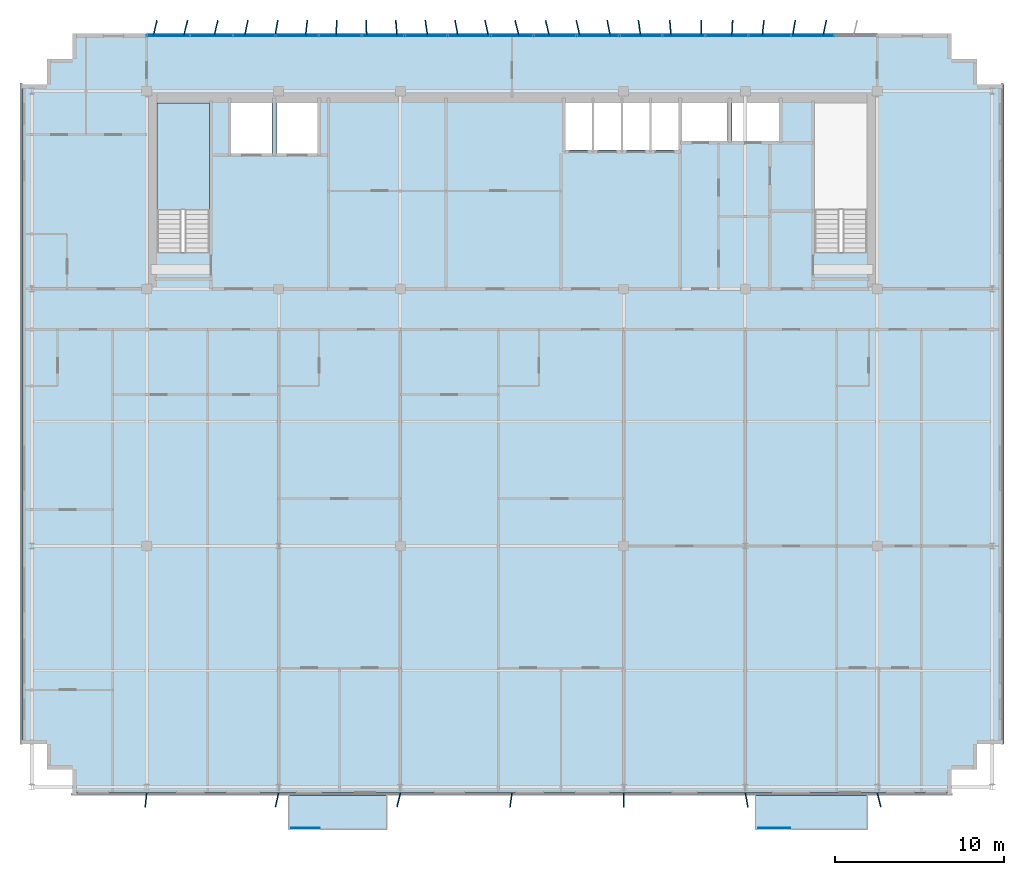
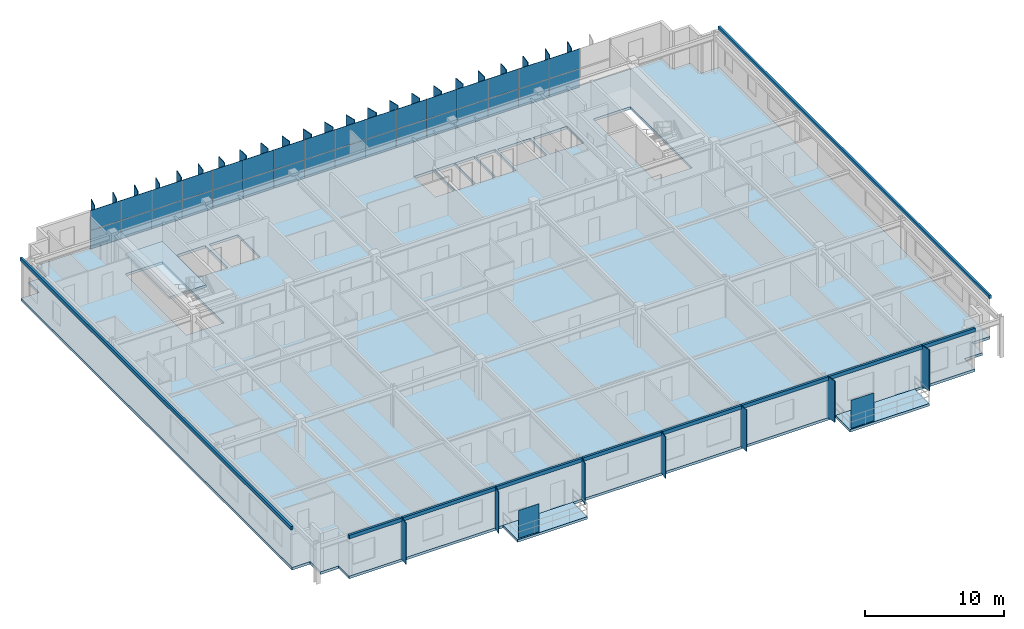
# One storey, part 15 of 23: 67 plates, 4 slabs, 2 elements without a shape of their own.
"""IFC4 building model written with IfcOpenShell, lengths in metres."""

from ifc_helpers import new_model, si_unit, direction, frame, origin, origin_2d, place, context, subcontext, project, spatial, polyline, rectangle, outline, extrude, source, transform, mapped, material, layer, layer_set, type_object, element, aggregate, save


model = new_model("IFC4")

# Units and contexts
model_context = context("Model", 3, precision=1e-05, world=origin(), true_north=direction((0.0, 1.0)))
body_context = subcontext(model_context, "Body", "Model", "MODEL_VIEW")
ifc_project = project(units=[si_unit("LENGTHUNIT", "METRE"), si_unit("AREAUNIT", "SQUARE_METRE"), si_unit("VOLUMEUNIT", "CUBIC_METRE"), si_unit("PLANEANGLEUNIT", "RADIAN"), si_unit("MASSUNIT", "GRAM", prefix="KILO")], contexts=[model_context])

# Site, building, storey
site_placement = place(None, origin())
site = spatial("IfcSite", under=ifc_project, at=site_placement, CompositionType="ELEMENT")
building_placement = place(site_placement, origin())
building = spatial("IfcBuilding", under=site, at=building_placement, Name="Trelvane Seafront Commons", CompositionType="ELEMENT")
storey_placement = place(building_placement, frame((0.0, 0.0, 263.10009765625)))
storey = spatial("IfcBuildingStorey", under=building, at=storey_placement, Name="L68", CompositionType="ELEMENT", Elevation=263.10009765625)

# Slabs
ifc_material_1 = material(Name="Concrete C40/50", Category="concrete")
ifc_layer_1 = layer(ifc_material_1, 0.219970703125, Name="ARCH-BALC-220")
ifc_layer_set_1 = layer_set([ifc_layer_1], Name="Concrete C40/50")
slab_type_1 = type_object("IfcSlabType", Name="ARCH-BALC-220", PredefinedType="FLOOR", material=ifc_layer_set_1)
slab_1_placement = place(storey_placement, frame((0.0, 0.0, -0.22021484375)))
element("IfcSlab", 1, at=slab_1_placement, inside=storey, type_object=slab_type_1, Name="L68 Cantilevered Tree Balcony Loggia 2", PredefinedType="FLOOR", context=body_context, shape_type="SweptSolid", body=[
    extrude(outline(polyline([(24.0, 1.39990234375), (29.800048828125, 1.39990234375), (29.800048828125, 3.5), (24.0, 3.5), (24.0, 1.39990234375)])), origin(), (0.0, 0.0, 1.0), 0.22021484375),
])
slab_2_placement = place(storey_placement, frame((0.0, 0.0, -0.22021484375)))
element("IfcSlab", 2, at=slab_2_placement, inside=storey, type_object=slab_type_1, Name="L68 Cantilevered Tree Balcony Loggia 3", PredefinedType="FLOOR", context=body_context, shape_type="SweptSolid", body=[
    extrude(outline(polyline([(51.60009765625, 1.39990234375), (58.199951171875, 1.39990234375), (58.199951171875, 3.5), (51.60009765625, 3.5), (51.60009765625, 1.39990234375)])), origin(), (0.0, 0.0, 1.0), 0.22021484375),
])

# Stair, slab
stair_type = type_object("IfcStairType", Name="ARCH-STR-ST-1-R20-180", PredefinedType="HALF_TURN_STAIR", material=ifc_material_1)
stair_placement = place(storey_placement, origin())
stair = element("IfcStair", 3, at=stair_placement, inside=storey, type_object=stair_type, Name="L68 West Protected Firefighting Exit Stair ST-1", PredefinedType="HALF_TURN_STAIR")
ifc_layer_2 = layer(ifc_material_1, 0.199951171875, Name="ARCH-LND-200")
ifc_layer_set_2 = layer_set([ifc_layer_2], Name="Concrete C40/50")
slab_type_2 = type_object("IfcSlabType", Name="ARCH-LND-200", PredefinedType="LANDING", material=ifc_layer_set_2)
slab_3_placement = place(storey_placement, frame((0.0, 0.0, 1.599853515625)))
slab_3 = element("IfcSlab", 4, at=slab_3_placement, type_object=slab_type_2, Name="ST-1 landing 1", PredefinedType="LANDING", context=body_context, shape_type="SweptSolid", body=[
    extrude(outline(polyline([(19.300048828125, 38.070068359375), (19.300048828125, 44.39990234375), (16.199951171875, 44.39990234375), (16.199951171875, 38.070068359375), (19.300048828125, 38.070068359375)])), origin(), (0.0, 0.0, 1.0), 0.199951171875),
])
aggregate(stair, [slab_3])

# Slab
ifc_material_2 = material(Name="Concrete C50/60", Category="concrete")
ifc_layer_3 = layer(ifc_material_2, 0.22998046875, Name="STR-SLB-Z5-230")
ifc_layer_set_3 = layer_set([ifc_layer_3], Name="Concrete C50/60")
slab_type_3 = type_object("IfcSlabType", Name="STR-SLB-Z5-230", PredefinedType="FLOOR", material=ifc_layer_set_3)
slab_4_placement = place(storey_placement, frame((0.0, 0.0, -0.22998046875)))
element("IfcSlab", 5, at=slab_4_placement, inside=storey, type_object=slab_type_3, Name="L68 Structural Floor Slab", PredefinedType="FLOOR", context=body_context, shape_type="SweptSolid", body=[
    extrude(outline(polyline([(11.199951171875, 3.5), (63.199951171875, 3.5), (63.199951171875, 5.0), (64.699951171875, 5.0), (64.699951171875, 6.5), (66.199951171875, 6.5), (66.199951171875, 45.5), (64.699951171875, 45.5), (64.699951171875, 47.0), (63.199951171875, 47.0), (63.199951171875, 48.5), (11.199951171875, 48.5), (11.199951171875, 47.0), (9.699951171875, 47.0), (9.699951171875, 45.5), (8.199951171875, 45.5), (8.199951171875, 6.5), (9.699951171875, 6.5), (9.699951171875, 5.0), (11.199951171875, 5.0), (11.199951171875, 3.5)]), holes=[polyline([(19.300048828125, 35.550048828125), (16.199951171875, 35.550048828125), (16.199951171875, 44.39990234375), (19.300048828125, 44.39990234375), (19.300048828125, 35.550048828125)]), polyline([(58.199951171875, 35.550048828125), (55.10009765625, 35.550048828125), (55.10009765625, 44.39990234375), (58.199951171875, 44.39990234375), (58.199951171875, 35.550048828125)]), polyline([(23.0, 41.39990234375), (20.60009765625, 41.39990234375), (20.60009765625, 44.60009765625), (23.0, 44.60009765625), (23.0, 41.39990234375)]), polyline([(23.300048828125, 41.39990234375), (23.300048828125, 44.60009765625), (25.699951171875, 44.60009765625), (25.699951171875, 41.39990234375), (23.300048828125, 41.39990234375)]), polyline([(40.35009765625, 41.60009765625), (40.35009765625, 44.60009765625), (41.969970703125, 44.60009765625), (41.969970703125, 41.60009765625), (40.35009765625, 41.60009765625)]), polyline([(43.669921875, 41.60009765625), (42.050048828125, 41.60009765625), (42.050048828125, 44.60009765625), (43.669921875, 44.60009765625), (43.669921875, 41.60009765625)]), polyline([(45.3701171875, 41.60009765625), (43.75, 41.60009765625), (43.75, 44.60009765625), (45.3701171875, 44.60009765625), (45.3701171875, 41.60009765625)]), polyline([(47.070068359375, 41.60009765625), (45.449951171875, 41.60009765625), (45.449951171875, 44.60009765625), (47.070068359375, 44.60009765625), (47.070068359375, 41.60009765625)]), polyline([(47.25, 42.14990234375), (47.25, 44.550048828125), (49.949951171875, 44.550048828125), (49.949951171875, 42.14990234375), (47.25, 42.14990234375)]), polyline([(50.199951171875, 42.14990234375), (50.199951171875, 44.550048828125), (53.0, 44.550048828125), (53.0, 42.14990234375), (50.199951171875, 42.14990234375)])]), origin(), (0.0, 0.0, 1.0), 0.22998046875),
])

# Plates
ifc_material_3 = material(Name="Perforated anodised aluminium screen", Category="aluminium")
ifc_layer_4 = layer(ifc_material_3, 0.01611328125, Name="ARCH-PLATE-SCREEN")
ifc_layer_set_4 = layer_set([ifc_layer_4], Name="Perforated anodised aluminium screen")
plate_type_1 = type_object("IfcPlateType", Name="ARCH-PLATE-SCREEN", PredefinedType="USERDEFINED", material=ifc_layer_set_4)
shared_shape_1 = source(origin(), body_context, "Body", "SweptSolid", [
    extrude(rectangle(XDim=1.9140625, YDim=0.01611328125, at=origin_2d()), origin(), (0.0, 0.0, 1.0), 2.449951171875),
])
plate_1_placement = place(storey_placement, frame((52.70703125, 1.52001953125, 0.0), z_axis=(0.0, 0.0, 1.0), x_axis=(1.0, 0.0, 0.0)))
element("IfcPlate", 6, at=plate_1_placement, inside=storey, type_object=plate_type_1, Name="SCR-L68-00237", ObjectType="SCREEN", PredefinedType="USERDEFINED", context=body_context, shape_type="MappedRepresentation", body=[
    mapped(shared_shape_1, transform((0.0, 0.0, 0.0), x_axis=(1.0, 0.0, 0.0), y_axis=(0.0, 1.0, 0.0), z_axis=(0.0, 0.0, 1.0), scale=1.0)),
])
shared_shape_2 = source(origin(), body_context, "Body", "SweptSolid", [
    extrude(rectangle(XDim=1.681884765625, YDim=0.01611328125, at=origin_2d()), origin(), (0.0, 0.0, 1.0), 2.449951171875),
])
plate_2_placement = place(storey_placement, frame((24.990966796875, 1.52001953125, 0.0), z_axis=(0.0, 0.0, 1.0), x_axis=(1.0, 0.0, 0.0)))
element("IfcPlate", 7, at=plate_2_placement, inside=storey, type_object=plate_type_1, Name="SCR-L68-00236", ObjectType="SCREEN", PredefinedType="USERDEFINED", context=body_context, shape_type="MappedRepresentation", body=[
    mapped(shared_shape_2, transform((0.0, 0.0, 0.0), x_axis=(1.0, 0.0, 0.0), y_axis=(0.0, 1.0, 0.0), z_axis=(0.0, 0.0, 1.0), scale=1.0)),
])
ifc_material_4 = material(Name="Anodised pale-silver aluminium", Category="aluminium")
ifc_layer_5 = layer(ifc_material_4, 0.06005859375, Name="ARCH-PLATE-FIN900")
ifc_layer_set_5 = layer_set([ifc_layer_5], Name="Anodised pale-silver aluminium")
plate_type_2 = type_object("IfcPlateType", Name="ARCH-PLATE-FIN900", PredefinedType="USERDEFINED", material=ifc_layer_set_5)
shared_shape_3 = source(origin(), body_context, "Body", "SweptSolid", [
    extrude(rectangle(XDim=0.89990234375, YDim=0.06005859375, at=origin_2d()), origin(), (0.0, 0.0, 1.0), 3.639892578125),
])
for number, where, z_axis, x_axis, name in (
    (8, (16.104736328125, 48.837646484375, -0.02001953125), (0.0, 0.0, 1.0), (0.232876793588, 0.972506246257, 0.0), "FIN-L68-01880"),
    (9, (17.908935546875, 48.836669921875, -0.02001953125), (0.0, 0.0, 1.0), (0.241881251735, 0.970305859025, 0.0), "FIN-L68-01881"),
    (10, (19.705078125, 48.837646484375, -0.02001953125), (0.0, 0.0, 1.0), (0.233346930531, 0.972393546879, 0.0), "FIN-L68-01882"),
    (11, (21.493408203125, 48.840087890625, -0.02001953125), (0.0, 0.0, 1.0), (0.207768284656, 0.978178071668, 0.0), "FIN-L68-01883"),
    (12, (23.27490234375, 48.84375, -0.02001953125), (0.0, 0.0, 1.0), (0.166668934374, 0.986012913868, 0.0), "FIN-L68-01884"),
    (13, (25.05078125, 48.84716796875, -0.02001953125), (0.0, 0.0, 1.0), (0.113003788836, 0.993594557004, 0.0), "FIN-L68-01885"),
    (14, (26.82275390625, 48.849365234375, -0.02001953125), (0.0, 0.0, 1.0), (0.050669636068, 0.99871546898, 0.0), "FIN-L68-01886"),
    (15, (28.593017578125, 48.849853515625, -0.02001953125), (0.0, 0.0, 1.0), (-0.015667179679, 0.999877262208, 0.0), "FIN-L68-01887"),
    (16, (30.363525390625, 48.8486328125, -0.02001953125), (0.0, 0.0, 1.0), (-0.080774754042, 0.996732380887, 0.0), "FIN-L68-01888"),
    (17, (32.13720703125, 48.845703125, -0.02001953125), (0.0, 0.0, 1.0), (-0.13966393349, 0.990198962675, 0.0), "FIN-L68-01889"),
    (18, (33.91552734375, 48.842041015625, -0.02001953125), (0.0, 0.0, 1.0), (-0.187775614852, 0.982211951906, 0.0), "FIN-L68-01890"),
    (19, (35.7001953125, 48.8388671875, -0.02001953125), (0.0, 0.0, 1.0), (-0.221880366337, 0.975073896192, 0.0), "FIN-L68-01891"),
    (20, (37.4921875, 48.8369140625, -0.02001953125), (0.0, 0.0, 1.0), (-0.239553685065, 0.970883119625, 0.0), "FIN-L68-01892"),
    (21, (39.2919921875, 48.8369140625, -0.02001953125), (0.0, 0.0, 1.0), (-0.23989426697, 0.970799021773, 0.0), "FIN-L68-01893"),
    (22, (41.099853515625, 48.838623046875, -0.02001953125), (0.0, 0.0, 1.0), (-0.222668238779, 0.974894279109, 0.0), "FIN-L68-01894"),
    (23, (42.9150390625, 48.841796875, -0.02001953125), (0.0, 0.0, 1.0), (-0.188996039228, 0.981977849626, 0.0), "FIN-L68-01895"),
    (24, (44.736328125, 48.845458984375, -0.02001953125), (0.0, 0.0, 1.0), (-0.14121916144, 0.989978357562, 0.0), "FIN-L68-01896"),
    (25, (46.562744140625, 48.848388671875, -0.02001953125), (0.0, 0.0, 1.0), (-0.082669059912, 0.99657705499, 0.0), "FIN-L68-01897"),
    (26, (48.39208984375, 48.849853515625, -0.02001953125), (0.0, 0.0, 1.0), (-0.017665303778, 0.999843956346, 0.0), "FIN-L68-01898"),
    (27, (50.221923828125, 48.849609375, -0.02001953125), (0.0, 0.0, 1.0), (0.048780039854, 0.998809545265, 0.0), "FIN-L68-01899"),
    (28, (52.050048828125, 48.84716796875, -0.02001953125), (0.0, 0.0, 1.0), (0.111333643901, 0.993783084851, 0.0), "FIN-L68-01900"),
    (29, (53.87451171875, 48.84375, -0.02001953125), (0.0, 0.0, 1.0), (0.165335071495, 0.98623745322, 0.0), "FIN-L68-01901"),
    (30, (55.693115234375, 48.84033203125, -0.02001953125), (0.0, 0.0, 1.0), (0.206766024268, 0.9783904186, 0.0), "FIN-L68-01902"),
):
    element("IfcPlate", number, at=place(storey_placement, frame(where, z_axis=z_axis, x_axis=x_axis)), inside=storey, type_object=plate_type_2, Name=name, ObjectType="FIN", PredefinedType="USERDEFINED", context=body_context, shape_type="MappedRepresentation", body=[
        mapped(shared_shape_3, transform((0.0, 0.0, 0.0), x_axis=(1.0, 0.0, 0.0), y_axis=(0.0, 1.0, 0.0), z_axis=(0.0, 0.0, 1.0), scale=1.0)),
    ])
shared_shape_4 = source(origin(), body_context, "Body", "SweptSolid", [
    extrude(rectangle(XDim=0.85009765625, YDim=0.06005859375, at=origin_2d()), origin(), (0.0, 0.0, 1.0), 3.639892578125),
])
for number, where, z_axis, x_axis, name in (
    (31, (15.557373046875, 3.17724609375, -0.02001953125), (0.0, 0.0, 1.0), (-0.100120336021, -0.994975335531, 0.0), "FIN-S-L68-01904"),
    (32, (23.30712890625, 3.185302734375, -0.02001953125), (0.0, 0.0, 1.0), (-0.218461746138, -0.975845513119, 0.0), "FIN-S-L68-01905"),
    (33, (30.50048828125, 3.186767578125, -0.02001953125), (0.0, 0.0, 1.0), (-0.23447198245, -0.972122877751, 0.0), "FIN-S-L68-01906"),
    (34, (37.139892578125, 3.17919921875, -0.02001953125), (0.0, 0.0, 1.0), (-0.141290002444, -0.989968249597, 0.0), "FIN-S-L68-01907"),
    (35, (43.808349609375, 3.175048828125, -0.02001953125), (0.0, 0.0, 1.0), (0.01988322582, -0.999802309125, 0.0), "FIN-S-L68-01908"),
    (36, (58.90234375, 3.1875, -0.02001953125), (0.0, 0.0, 1.0), (0.240929386731, -0.970542647496, 0.0), "FIN-S-L68-01910"),
):
    element("IfcPlate", number, at=place(storey_placement, frame(where, z_axis=z_axis, x_axis=x_axis)), inside=storey, type_object=plate_type_2, Name=name, ObjectType="FIN", PredefinedType="USERDEFINED", context=body_context, shape_type="MappedRepresentation", body=[
        mapped(shared_shape_4, transform((0.0, 0.0, 0.0), x_axis=(1.0, 0.0, 0.0), y_axis=(0.0, 1.0, 0.0), z_axis=(0.0, 0.0, 1.0), scale=1.0)),
    ])
shared_shape_5 = source(origin(), body_context, "Body", "SweptSolid", [
    extrude(rectangle(XDim=0.849853515625, YDim=0.06005859375, at=origin_2d()), origin(), (0.0, 0.0, 1.0), 3.639892578125),
])
plate_3_placement = place(storey_placement, frame((51.07275390625, 3.181396484375, -0.02001953125), z_axis=(0.0, 0.0, 1.0), x_axis=(0.171188016112, -0.98523837884, 0.0)))
element("IfcPlate", 37, at=plate_3_placement, inside=storey, type_object=plate_type_2, Name="FIN-S-L68-01909", ObjectType="FIN", PredefinedType="USERDEFINED", context=body_context, shape_type="MappedRepresentation", body=[
    mapped(shared_shape_5, transform((0.0, 0.0, 0.0), x_axis=(1.0, 0.0, 0.0), y_axis=(0.0, 1.0, 0.0), z_axis=(0.0, 0.0, 1.0), scale=1.0)),
])

# Curtain wall, plates
curtain_wall_type = type_object("IfcCurtainWallType", Name="ARCH-CW5-UPTOWER", PredefinedType="NOTDEFINED", material=ifc_material_4)
curtain_wall_placement = place(storey_placement, origin())
curtain_wall = element("IfcCurtainWall", 38, at=curtain_wall_placement, inside=storey, type_object=curtain_wall_type, Name="CW-L68-0112", PredefinedType="NOTDEFINED")
ifc_material_5 = material(Name="Low-E coastal double glazing", Category="glass")
ifc_layer_6 = layer(ifc_material_5, 0.033935546875, Name="ARCH-CW-GLAZ-34")
ifc_layer_set_6 = layer_set([ifc_layer_6], Name="Low-E coastal double glazing")
plate_type_3 = type_object("IfcPlateType", Name="ARCH-CW-GLAZ-34", PredefinedType="CURTAIN_PANEL", material=ifc_layer_set_6)
shared_shape_6 = source(origin(), body_context, "Body", "SweptSolid", [
    extrude(rectangle(XDim=2.51708984375, YDim=0.033935546875, at=origin_2d()), origin(), (0.0, 0.0, 1.0), 1.60009765625),
])
plate_4_placement = place(storey_placement, frame((16.87060546875, 48.3701171875, -0.000244140625), z_axis=(0.0, 0.0, 1.0), x_axis=(1.0, 0.0, 0.0)))
plate_4 = element("IfcPlate", 39, at=plate_4_placement, type_object=plate_type_3, Name="CW-L68-0112-P00-1", PredefinedType="CURTAIN_PANEL", context=body_context, shape_type="MappedRepresentation", body=[
    mapped(shared_shape_6, transform((0.0, 0.0, 0.0), x_axis=(1.0, 0.0, 0.0), y_axis=(0.0, 1.0, 0.0), z_axis=(0.0, 0.0, 1.0), scale=1.0)),
])
plate_5_placement = place(storey_placement, frame((19.411865234375, 48.3701171875, -0.000244140625), z_axis=(0.0, 0.0, 1.0), x_axis=(1.0, 0.0, 0.0)))
plate_5 = element("IfcPlate", 40, at=plate_5_placement, type_object=plate_type_3, Name="CW-L68-0112-P01-1", PredefinedType="CURTAIN_PANEL", context=body_context, shape_type="MappedRepresentation", body=[
    mapped(shared_shape_6, transform((0.0, 0.0, 0.0), x_axis=(1.0, 0.0, 0.0), y_axis=(0.0, 1.0, 0.0), z_axis=(0.0, 0.0, 1.0), scale=1.0)),
])
plate_6_placement = place(storey_placement, frame((21.952880859375, 48.3701171875, -0.000244140625), z_axis=(0.0, 0.0, 1.0), x_axis=(1.0, 0.0, 0.0)))
plate_6 = element("IfcPlate", 41, at=plate_6_placement, type_object=plate_type_3, Name="CW-L68-0112-P02-1", PredefinedType="CURTAIN_PANEL", context=body_context, shape_type="MappedRepresentation", body=[
    mapped(shared_shape_6, transform((0.0, 0.0, 0.0), x_axis=(1.0, 0.0, 0.0), y_axis=(0.0, 1.0, 0.0), z_axis=(0.0, 0.0, 1.0), scale=1.0)),
])
plate_7_placement = place(storey_placement, frame((24.494140625, 48.3701171875, -0.000244140625), z_axis=(0.0, 0.0, 1.0), x_axis=(1.0, 0.0, 0.0)))
plate_7 = element("IfcPlate", 42, at=plate_7_placement, type_object=plate_type_3, Name="CW-L68-0112-P03-1", PredefinedType="CURTAIN_PANEL", context=body_context, shape_type="MappedRepresentation", body=[
    mapped(shared_shape_6, transform((0.0, 0.0, 0.0), x_axis=(1.0, 0.0, 0.0), y_axis=(0.0, 1.0, 0.0), z_axis=(0.0, 0.0, 1.0), scale=1.0)),
])
plate_8_placement = place(storey_placement, frame((27.035400390625, 48.3701171875, -0.000244140625), z_axis=(0.0, 0.0, 1.0), x_axis=(1.0, 0.0, 0.0)))
plate_8 = element("IfcPlate", 43, at=plate_8_placement, type_object=plate_type_3, Name="CW-L68-0112-P04-1", PredefinedType="CURTAIN_PANEL", context=body_context, shape_type="MappedRepresentation", body=[
    mapped(shared_shape_6, transform((0.0, 0.0, 0.0), x_axis=(1.0, 0.0, 0.0), y_axis=(0.0, 1.0, 0.0), z_axis=(0.0, 0.0, 1.0), scale=1.0)),
])
plate_9_placement = place(storey_placement, frame((29.576416015625, 48.3701171875, -0.000244140625), z_axis=(0.0, 0.0, 1.0), x_axis=(1.0, 0.0, 0.0)))
plate_9 = element("IfcPlate", 44, at=plate_9_placement, type_object=plate_type_3, Name="CW-L68-0112-P05-1", PredefinedType="CURTAIN_PANEL", context=body_context, shape_type="MappedRepresentation", body=[
    mapped(shared_shape_6, transform((0.0, 0.0, 0.0), x_axis=(1.0, 0.0, 0.0), y_axis=(0.0, 1.0, 0.0), z_axis=(0.0, 0.0, 1.0), scale=1.0)),
])
plate_10_placement = place(storey_placement, frame((32.11767578125, 48.3701171875, -0.000244140625), z_axis=(0.0, 0.0, 1.0), x_axis=(1.0, 0.0, 0.0)))
plate_10 = element("IfcPlate", 45, at=plate_10_placement, type_object=plate_type_3, Name="CW-L68-0112-P06-1", PredefinedType="CURTAIN_PANEL", context=body_context, shape_type="MappedRepresentation", body=[
    mapped(shared_shape_6, transform((0.0, 0.0, 0.0), x_axis=(1.0, 0.0, 0.0), y_axis=(0.0, 1.0, 0.0), z_axis=(0.0, 0.0, 1.0), scale=1.0)),
])
plate_11_placement = place(storey_placement, frame((34.65869140625, 48.3701171875, -0.000244140625), z_axis=(0.0, 0.0, 1.0), x_axis=(1.0, 0.0, 0.0)))
plate_11 = element("IfcPlate", 46, at=plate_11_placement, type_object=plate_type_3, Name="CW-L68-0112-P07-1", PredefinedType="CURTAIN_PANEL", context=body_context, shape_type="MappedRepresentation", body=[
    mapped(shared_shape_6, transform((0.0, 0.0, 0.0), x_axis=(1.0, 0.0, 0.0), y_axis=(0.0, 1.0, 0.0), z_axis=(0.0, 0.0, 1.0), scale=1.0)),
])
plate_12_placement = place(storey_placement, frame((37.199951171875, 48.3701171875, -0.000244140625), z_axis=(0.0, 0.0, 1.0), x_axis=(1.0, 0.0, 0.0)))
plate_12 = element("IfcPlate", 47, at=plate_12_placement, type_object=plate_type_3, Name="CW-L68-0112-P08-1", PredefinedType="CURTAIN_PANEL", context=body_context, shape_type="MappedRepresentation", body=[
    mapped(shared_shape_6, transform((0.0, 0.0, 0.0), x_axis=(1.0, 0.0, 0.0), y_axis=(0.0, 1.0, 0.0), z_axis=(0.0, 0.0, 1.0), scale=1.0)),
])
plate_13_placement = place(storey_placement, frame((39.7412109375, 48.3701171875, -0.000244140625), z_axis=(0.0, 0.0, 1.0), x_axis=(1.0, 0.0, 0.0)))
plate_13 = element("IfcPlate", 48, at=plate_13_placement, type_object=plate_type_3, Name="CW-L68-0112-P09-1", PredefinedType="CURTAIN_PANEL", context=body_context, shape_type="MappedRepresentation", body=[
    mapped(shared_shape_6, transform((0.0, 0.0, 0.0), x_axis=(1.0, 0.0, 0.0), y_axis=(0.0, 1.0, 0.0), z_axis=(0.0, 0.0, 1.0), scale=1.0)),
])
plate_14_placement = place(storey_placement, frame((42.282470703125, 48.3701171875, -0.000244140625), z_axis=(0.0, 0.0, 1.0), x_axis=(1.0, 0.0, 0.0)))
plate_14 = element("IfcPlate", 49, at=plate_14_placement, type_object=plate_type_3, Name="CW-L68-0112-P10-1", PredefinedType="CURTAIN_PANEL", context=body_context, shape_type="MappedRepresentation", body=[
    mapped(shared_shape_6, transform((0.0, 0.0, 0.0), x_axis=(1.0, 0.0, 0.0), y_axis=(0.0, 1.0, 0.0), z_axis=(0.0, 0.0, 1.0), scale=1.0)),
])
plate_15_placement = place(storey_placement, frame((44.823486328125, 48.3701171875, -0.000244140625), z_axis=(0.0, 0.0, 1.0), x_axis=(1.0, 0.0, 0.0)))
plate_15 = element("IfcPlate", 50, at=plate_15_placement, type_object=plate_type_3, Name="CW-L68-0112-P11-1", PredefinedType="CURTAIN_PANEL", context=body_context, shape_type="MappedRepresentation", body=[
    mapped(shared_shape_6, transform((0.0, 0.0, 0.0), x_axis=(1.0, 0.0, 0.0), y_axis=(0.0, 1.0, 0.0), z_axis=(0.0, 0.0, 1.0), scale=1.0)),
])
plate_16_placement = place(storey_placement, frame((47.36474609375, 48.3701171875, -0.000244140625), z_axis=(0.0, 0.0, 1.0), x_axis=(1.0, 0.0, 0.0)))
plate_16 = element("IfcPlate", 51, at=plate_16_placement, type_object=plate_type_3, Name="CW-L68-0112-P12-1", PredefinedType="CURTAIN_PANEL", context=body_context, shape_type="MappedRepresentation", body=[
    mapped(shared_shape_6, transform((0.0, 0.0, 0.0), x_axis=(1.0, 0.0, 0.0), y_axis=(0.0, 1.0, 0.0), z_axis=(0.0, 0.0, 1.0), scale=1.0)),
])
plate_17_placement = place(storey_placement, frame((49.906005859375, 48.3701171875, -0.000244140625), z_axis=(0.0, 0.0, 1.0), x_axis=(1.0, 0.0, 0.0)))
plate_17 = element("IfcPlate", 52, at=plate_17_placement, type_object=plate_type_3, Name="CW-L68-0112-P13-1", PredefinedType="CURTAIN_PANEL", context=body_context, shape_type="MappedRepresentation", body=[
    mapped(shared_shape_6, transform((0.0, 0.0, 0.0), x_axis=(1.0, 0.0, 0.0), y_axis=(0.0, 1.0, 0.0), z_axis=(0.0, 0.0, 1.0), scale=1.0)),
])
plate_18_placement = place(storey_placement, frame((52.447021484375, 48.3701171875, -0.000244140625), z_axis=(0.0, 0.0, 1.0), x_axis=(1.0, 0.0, 0.0)))
plate_18 = element("IfcPlate", 53, at=plate_18_placement, type_object=plate_type_3, Name="CW-L68-0112-P14-1", PredefinedType="CURTAIN_PANEL", context=body_context, shape_type="MappedRepresentation", body=[
    mapped(shared_shape_6, transform((0.0, 0.0, 0.0), x_axis=(1.0, 0.0, 0.0), y_axis=(0.0, 1.0, 0.0), z_axis=(0.0, 0.0, 1.0), scale=1.0)),
])
plate_19_placement = place(storey_placement, frame((54.98828125, 48.3701171875, -0.000244140625), z_axis=(0.0, 0.0, 1.0), x_axis=(1.0, 0.0, 0.0)))
plate_19 = element("IfcPlate", 54, at=plate_19_placement, type_object=plate_type_3, Name="CW-L68-0112-P15-1", PredefinedType="CURTAIN_PANEL", context=body_context, shape_type="MappedRepresentation", body=[
    mapped(shared_shape_6, transform((0.0, 0.0, 0.0), x_axis=(1.0, 0.0, 0.0), y_axis=(0.0, 1.0, 0.0), z_axis=(0.0, 0.0, 1.0), scale=1.0)),
])
shared_shape_7 = source(origin(), body_context, "Body", "SweptSolid", [
    extrude(rectangle(XDim=2.51708984375, YDim=0.033935546875, at=origin_2d()), origin(), (0.0, 0.0, 1.0), 1.73388671875),
])
plate_20_placement = place(storey_placement, frame((16.87060546875, 48.3701171875, 1.635986328125), z_axis=(0.0, 0.0, 1.0), x_axis=(1.0, 0.0, 0.0)))
plate_20 = element("IfcPlate", 55, at=plate_20_placement, type_object=plate_type_3, Name="CW-L68-0112-P00-2", PredefinedType="CURTAIN_PANEL", context=body_context, shape_type="MappedRepresentation", body=[
    mapped(shared_shape_7, transform((0.0, 0.0, 0.0), x_axis=(1.0, 0.0, 0.0), y_axis=(0.0, 1.0, 0.0), z_axis=(0.0, 0.0, 1.0), scale=1.0)),
])
plate_21_placement = place(storey_placement, frame((19.411865234375, 48.3701171875, 1.635986328125), z_axis=(0.0, 0.0, 1.0), x_axis=(1.0, 0.0, 0.0)))
plate_21 = element("IfcPlate", 56, at=plate_21_placement, type_object=plate_type_3, Name="CW-L68-0112-P01-2", PredefinedType="CURTAIN_PANEL", context=body_context, shape_type="MappedRepresentation", body=[
    mapped(shared_shape_7, transform((0.0, 0.0, 0.0), x_axis=(1.0, 0.0, 0.0), y_axis=(0.0, 1.0, 0.0), z_axis=(0.0, 0.0, 1.0), scale=1.0)),
])
plate_22_placement = place(storey_placement, frame((21.952880859375, 48.3701171875, 1.635986328125), z_axis=(0.0, 0.0, 1.0), x_axis=(1.0, 0.0, 0.0)))
plate_22 = element("IfcPlate", 57, at=plate_22_placement, type_object=plate_type_3, Name="CW-L68-0112-P02-2", PredefinedType="CURTAIN_PANEL", context=body_context, shape_type="MappedRepresentation", body=[
    mapped(shared_shape_7, transform((0.0, 0.0, 0.0), x_axis=(1.0, 0.0, 0.0), y_axis=(0.0, 1.0, 0.0), z_axis=(0.0, 0.0, 1.0), scale=1.0)),
])
plate_23_placement = place(storey_placement, frame((24.494140625, 48.3701171875, 1.635986328125), z_axis=(0.0, 0.0, 1.0), x_axis=(1.0, 0.0, 0.0)))
plate_23 = element("IfcPlate", 58, at=plate_23_placement, type_object=plate_type_3, Name="CW-L68-0112-P03-2", PredefinedType="CURTAIN_PANEL", context=body_context, shape_type="MappedRepresentation", body=[
    mapped(shared_shape_7, transform((0.0, 0.0, 0.0), x_axis=(1.0, 0.0, 0.0), y_axis=(0.0, 1.0, 0.0), z_axis=(0.0, 0.0, 1.0), scale=1.0)),
])
plate_24_placement = place(storey_placement, frame((27.035400390625, 48.3701171875, 1.635986328125), z_axis=(0.0, 0.0, 1.0), x_axis=(1.0, 0.0, 0.0)))
plate_24 = element("IfcPlate", 59, at=plate_24_placement, type_object=plate_type_3, Name="CW-L68-0112-P04-2", PredefinedType="CURTAIN_PANEL", context=body_context, shape_type="MappedRepresentation", body=[
    mapped(shared_shape_7, transform((0.0, 0.0, 0.0), x_axis=(1.0, 0.0, 0.0), y_axis=(0.0, 1.0, 0.0), z_axis=(0.0, 0.0, 1.0), scale=1.0)),
])
plate_25_placement = place(storey_placement, frame((29.576416015625, 48.3701171875, 1.635986328125), z_axis=(0.0, 0.0, 1.0), x_axis=(1.0, 0.0, 0.0)))
plate_25 = element("IfcPlate", 60, at=plate_25_placement, type_object=plate_type_3, Name="CW-L68-0112-P05-2", PredefinedType="CURTAIN_PANEL", context=body_context, shape_type="MappedRepresentation", body=[
    mapped(shared_shape_7, transform((0.0, 0.0, 0.0), x_axis=(1.0, 0.0, 0.0), y_axis=(0.0, 1.0, 0.0), z_axis=(0.0, 0.0, 1.0), scale=1.0)),
])
plate_26_placement = place(storey_placement, frame((32.11767578125, 48.3701171875, 1.635986328125), z_axis=(0.0, 0.0, 1.0), x_axis=(1.0, 0.0, 0.0)))
plate_26 = element("IfcPlate", 61, at=plate_26_placement, type_object=plate_type_3, Name="CW-L68-0112-P06-2", PredefinedType="CURTAIN_PANEL", context=body_context, shape_type="MappedRepresentation", body=[
    mapped(shared_shape_7, transform((0.0, 0.0, 0.0), x_axis=(1.0, 0.0, 0.0), y_axis=(0.0, 1.0, 0.0), z_axis=(0.0, 0.0, 1.0), scale=1.0)),
])
plate_27_placement = place(storey_placement, frame((34.65869140625, 48.3701171875, 1.635986328125), z_axis=(0.0, 0.0, 1.0), x_axis=(1.0, 0.0, 0.0)))
plate_27 = element("IfcPlate", 62, at=plate_27_placement, type_object=plate_type_3, Name="CW-L68-0112-P07-2", PredefinedType="CURTAIN_PANEL", context=body_context, shape_type="MappedRepresentation", body=[
    mapped(shared_shape_7, transform((0.0, 0.0, 0.0), x_axis=(1.0, 0.0, 0.0), y_axis=(0.0, 1.0, 0.0), z_axis=(0.0, 0.0, 1.0), scale=1.0)),
])
plate_28_placement = place(storey_placement, frame((37.199951171875, 48.3701171875, 1.635986328125), z_axis=(0.0, 0.0, 1.0), x_axis=(1.0, 0.0, 0.0)))
plate_28 = element("IfcPlate", 63, at=plate_28_placement, type_object=plate_type_3, Name="CW-L68-0112-P08-2", PredefinedType="CURTAIN_PANEL", context=body_context, shape_type="MappedRepresentation", body=[
    mapped(shared_shape_7, transform((0.0, 0.0, 0.0), x_axis=(1.0, 0.0, 0.0), y_axis=(0.0, 1.0, 0.0), z_axis=(0.0, 0.0, 1.0), scale=1.0)),
])
plate_29_placement = place(storey_placement, frame((39.7412109375, 48.3701171875, 1.635986328125), z_axis=(0.0, 0.0, 1.0), x_axis=(1.0, 0.0, 0.0)))
plate_29 = element("IfcPlate", 64, at=plate_29_placement, type_object=plate_type_3, Name="CW-L68-0112-P09-2", PredefinedType="CURTAIN_PANEL", context=body_context, shape_type="MappedRepresentation", body=[
    mapped(shared_shape_7, transform((0.0, 0.0, 0.0), x_axis=(1.0, 0.0, 0.0), y_axis=(0.0, 1.0, 0.0), z_axis=(0.0, 0.0, 1.0), scale=1.0)),
])
plate_30_placement = place(storey_placement, frame((42.282470703125, 48.3701171875, 1.635986328125), z_axis=(0.0, 0.0, 1.0), x_axis=(1.0, 0.0, 0.0)))
plate_30 = element("IfcPlate", 65, at=plate_30_placement, type_object=plate_type_3, Name="CW-L68-0112-P10-2", PredefinedType="CURTAIN_PANEL", context=body_context, shape_type="MappedRepresentation", body=[
    mapped(shared_shape_7, transform((0.0, 0.0, 0.0), x_axis=(1.0, 0.0, 0.0), y_axis=(0.0, 1.0, 0.0), z_axis=(0.0, 0.0, 1.0), scale=1.0)),
])
plate_31_placement = place(storey_placement, frame((44.823486328125, 48.3701171875, 1.635986328125), z_axis=(0.0, 0.0, 1.0), x_axis=(1.0, 0.0, 0.0)))
plate_31 = element("IfcPlate", 66, at=plate_31_placement, type_object=plate_type_3, Name="CW-L68-0112-P11-2", PredefinedType="CURTAIN_PANEL", context=body_context, shape_type="MappedRepresentation", body=[
    mapped(shared_shape_7, transform((0.0, 0.0, 0.0), x_axis=(1.0, 0.0, 0.0), y_axis=(0.0, 1.0, 0.0), z_axis=(0.0, 0.0, 1.0), scale=1.0)),
])
plate_32_placement = place(storey_placement, frame((47.36474609375, 48.3701171875, 1.635986328125), z_axis=(0.0, 0.0, 1.0), x_axis=(1.0, 0.0, 0.0)))
plate_32 = element("IfcPlate", 67, at=plate_32_placement, type_object=plate_type_3, Name="CW-L68-0112-P12-2", PredefinedType="CURTAIN_PANEL", context=body_context, shape_type="MappedRepresentation", body=[
    mapped(shared_shape_7, transform((0.0, 0.0, 0.0), x_axis=(1.0, 0.0, 0.0), y_axis=(0.0, 1.0, 0.0), z_axis=(0.0, 0.0, 1.0), scale=1.0)),
])
plate_33_placement = place(storey_placement, frame((49.906005859375, 48.3701171875, 1.635986328125), z_axis=(0.0, 0.0, 1.0), x_axis=(1.0, 0.0, 0.0)))
plate_33 = element("IfcPlate", 68, at=plate_33_placement, type_object=plate_type_3, Name="CW-L68-0112-P13-2", PredefinedType="CURTAIN_PANEL", context=body_context, shape_type="MappedRepresentation", body=[
    mapped(shared_shape_7, transform((0.0, 0.0, 0.0), x_axis=(1.0, 0.0, 0.0), y_axis=(0.0, 1.0, 0.0), z_axis=(0.0, 0.0, 1.0), scale=1.0)),
])
plate_34_placement = place(storey_placement, frame((52.447021484375, 48.3701171875, 1.635986328125), z_axis=(0.0, 0.0, 1.0), x_axis=(1.0, 0.0, 0.0)))
plate_34 = element("IfcPlate", 69, at=plate_34_placement, type_object=plate_type_3, Name="CW-L68-0112-P14-2", PredefinedType="CURTAIN_PANEL", context=body_context, shape_type="MappedRepresentation", body=[
    mapped(shared_shape_7, transform((0.0, 0.0, 0.0), x_axis=(1.0, 0.0, 0.0), y_axis=(0.0, 1.0, 0.0), z_axis=(0.0, 0.0, 1.0), scale=1.0)),
])
plate_35_placement = place(storey_placement, frame((54.98828125, 48.3701171875, 1.635986328125), z_axis=(0.0, 0.0, 1.0), x_axis=(1.0, 0.0, 0.0)))
plate_35 = element("IfcPlate", 70, at=plate_35_placement, type_object=plate_type_3, Name="CW-L68-0112-P15-2", PredefinedType="CURTAIN_PANEL", context=body_context, shape_type="MappedRepresentation", body=[
    mapped(shared_shape_7, transform((0.0, 0.0, 0.0), x_axis=(1.0, 0.0, 0.0), y_axis=(0.0, 1.0, 0.0), z_axis=(0.0, 0.0, 1.0), scale=1.0)),
])
aggregate(curtain_wall, [plate_4, plate_20, plate_5, plate_21, plate_6, plate_22, plate_7, plate_23, plate_8, plate_24, plate_9, plate_25, plate_10, plate_26, plate_11, plate_27, plate_12, plate_28, plate_13, plate_29, plate_14, plate_30, plate_15, plate_31, plate_16, plate_32, plate_17, plate_33, plate_18, plate_34, plate_19, plate_35])

# Plates
ifc_layer_7 = layer(ifc_material_4, 0.179931640625, Name="ARCH-PLATE-AERO")
ifc_layer_set_7 = layer_set([ifc_layer_7], Name="Anodised pale-silver aluminium")
plate_type_4 = type_object("IfcPlateType", Name="ARCH-PLATE-AERO", PredefinedType="SHEET", material=ifc_layer_set_7)
shared_shape_8 = source(origin(), body_context, "Body", "SweptSolid", [
    extrude(rectangle(XDim=39.0, YDim=0.179931640625, at=origin_2d()), origin(), (0.0, 0.0, 1.0), 0.31005859375),
])
for number, where, z_axis, x_axis, name in (
    (71, (8.199951171875, 26.0, 3.309814453125), (0.0, 0.0, 1.0), (0.0, 1.0, 0.0), "AER-L68-00234"),
    (72, (66.199951171875, 26.0, 3.309814453125), (0.0, 0.0, 1.0), (0.0, -1.0, 0.0), "AER-L68-00235"),
):
    element("IfcPlate", number, at=place(storey_placement, frame(where, z_axis=z_axis, x_axis=x_axis)), inside=storey, type_object=plate_type_4, Name=name, PredefinedType="SHEET", context=body_context, shape_type="MappedRepresentation", body=[
        mapped(shared_shape_8, transform((0.0, 0.0, 0.0), x_axis=(1.0, 0.0, 0.0), y_axis=(0.0, 1.0, 0.0), z_axis=(0.0, 0.0, 1.0), scale=1.0)),
    ])
shared_shape_9 = source(origin(), body_context, "Body", "SweptSolid", [
    extrude(rectangle(XDim=52.0, YDim=0.179931640625, at=origin_2d()), origin(), (0.0, 0.0, 1.0), 0.31005859375),
])
plate_36_placement = place(storey_placement, frame((37.199951171875, 3.5400390625, 3.309814453125), z_axis=(0.0, 0.0, 1.0), x_axis=(-1.0, 0.0, 0.0)))
element("IfcPlate", 73, at=plate_36_placement, inside=storey, type_object=plate_type_4, Name="AER-S-L68-00238", PredefinedType="SHEET", context=body_context, shape_type="MappedRepresentation", body=[
    mapped(shared_shape_9, transform((0.0, 0.0, 0.0), x_axis=(1.0, 0.0, 0.0), y_axis=(0.0, 1.0, 0.0), z_axis=(0.0, 0.0, 1.0), scale=1.0)),
])

save(model, "model.ifc")
